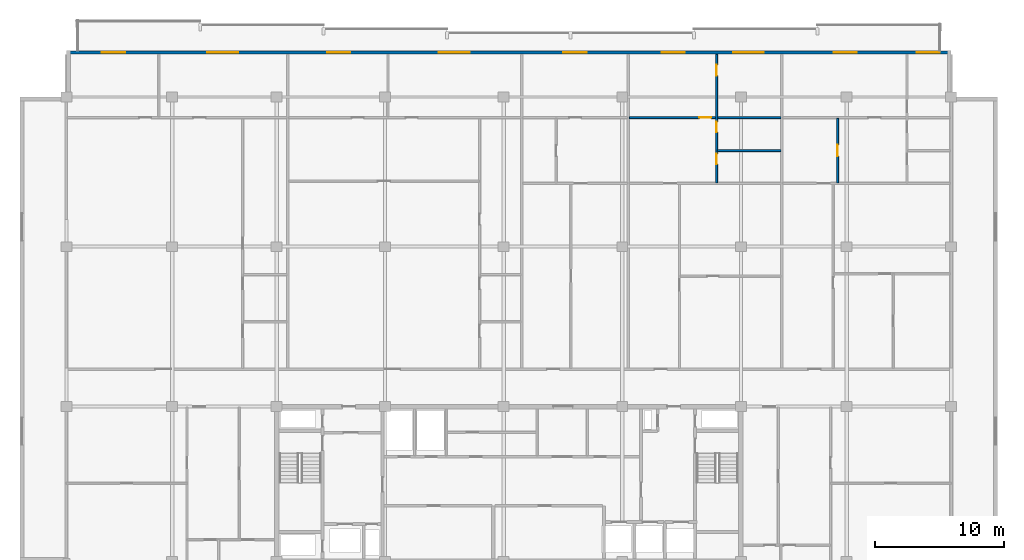
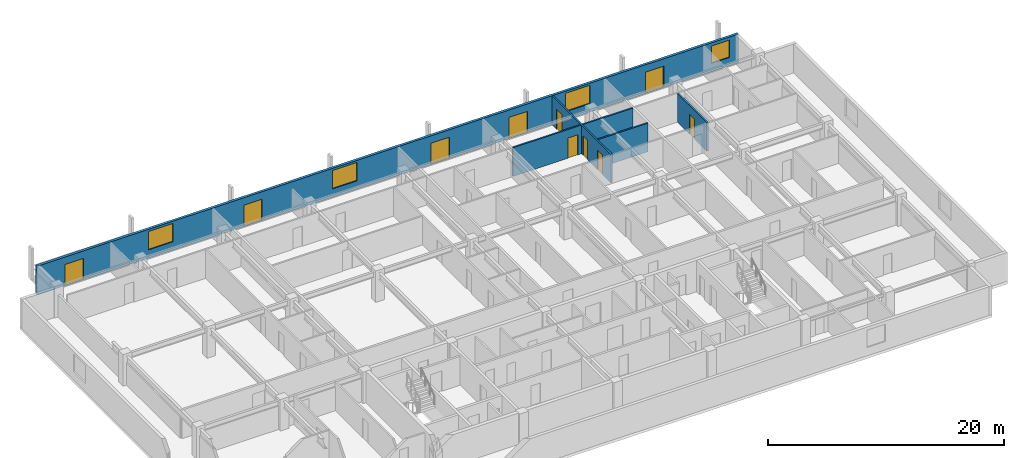
# One storey, part 14 of 21: 10 doors, 5 walls, 4 windows, 14 openings.
"""IFC4 building model written with IfcOpenShell, lengths in metres."""

from ifc_helpers import new_model, si_unit, direction, frame, frame_2d, origin, place, context, subcontext, project, spatial, rectangle, extrude, material, layer, layer_set, type_object, element, fill, save


model = new_model("IFC4")

# Units and contexts
model_context = context("Model", 3, precision=1e-05, world=origin(), true_north=direction((0.0, 1.0)))
body_context = subcontext(model_context, "Body", "Model", "MODEL_VIEW")
ifc_project = project(units=[si_unit("LENGTHUNIT", "METRE"), si_unit("AREAUNIT", "SQUARE_METRE"), si_unit("VOLUMEUNIT", "CUBIC_METRE"), si_unit("PLANEANGLEUNIT", "RADIAN"), si_unit("MASSUNIT", "GRAM", prefix="KILO")], contexts=[model_context])

# Site, building, storey
site_placement = place(None, origin())
site = spatial("IfcSite", under=ifc_project, at=site_placement, CompositionType="ELEMENT")
building_placement = place(site_placement, origin())
building = spatial("IfcBuilding", under=site, at=building_placement, Name="Korimba Cascade Residences", CompositionType="ELEMENT")
storey_placement = place(building_placement, frame((0.0, 0.0, 184.85009765625)))
storey = spatial("IfcBuildingStorey", under=building, at=storey_placement, Name="L53", CompositionType="ELEMENT", Elevation=184.85009765625)

# Wall, openings, doors, windows
ifc_material_1 = material(Name="Precast concrete C40/50", Category="concrete")
ifc_layer_1 = layer(ifc_material_1, 0.25)
ifc_layer_set_1 = layer_set([ifc_layer_1], Name="Precast concrete C40/50")
wall_type_1 = type_object("IfcWallType", Name="EW-LOG-250", PredefinedType="STANDARD", material=ifc_layer_set_1)
wall_1_placement = place(storey_placement, frame((128.39990234375, 94.64990234375, 0.0), z_axis=(0.0, 0.0, 1.0), x_axis=(-1.0, 0.0, 0.0)))
wall_1 = element("IfcWall", 1, at=wall_1_placement, inside=storey, type_object=wall_type_1, Name="L53 T1 Perimeter Stone Wall E06", PredefinedType="STANDARD", context=body_context, shape_type="SweptSolid", body=[
    extrude(rectangle(XDim=68.599853515625, YDim=0.25, at=frame_2d((34.2998046875, 0.0))), origin(), (0.0, 0.0, 1.0), 2.969970703125),
])
opening_1_placement = place(wall_1_placement, frame((64.057861328125, 0.0, 0.0)))
opening_1 = element("IfcOpeningElement", 2, at=opening_1_placement, cuts=wall_1, Name="Opening D-LG1", PredefinedType="OPENING", context=body_context, shape_type="SweptSolid", body=[
    extrude(rectangle(XDim=1.800048828125, YDim=2.199951171875, at=frame_2d((0.89990234375, 1.10009765625))), frame((0.0, 0.135009765625, 0.0), z_axis=(0.0, -1.0, 0.0), x_axis=(1.0, 0.0, 0.0)), (0.0, 0.0, 1.0), 0.27001953125),
])
opening_2_placement = place(wall_1_placement, frame((55.2939453125, 0.0, 0.85009765625)))
opening_2 = element("IfcOpeningElement", 3, at=opening_2_placement, cuts=wall_1, Name="Opening W-01", PredefinedType="OPENING", context=body_context, shape_type="SweptSolid", body=[
    extrude(rectangle(XDim=2.39990234375, YDim=1.89990234375, at=frame_2d((1.199951171875, 0.949951171875))), frame((0.0, 0.135009765625, 0.0), z_axis=(0.0, -1.0, 0.0), x_axis=(1.0, 0.0, 0.0)), (0.0, 0.0, 1.0), 0.27001953125),
])
opening_3_placement = place(wall_1_placement, frame((46.58837890625, 0.0, 0.0)))
opening_3 = element("IfcOpeningElement", 4, at=opening_3_placement, cuts=wall_1, Name="Opening D-LG1", PredefinedType="OPENING", context=body_context, shape_type="SweptSolid", body=[
    extrude(rectangle(XDim=1.800048828125, YDim=2.199951171875, at=frame_2d((0.89990234375, 1.10009765625))), frame((0.0, 0.135009765625, 0.0), z_axis=(0.0, -1.0, 0.0), x_axis=(1.0, 0.0, 0.0)), (0.0, 0.0, 1.0), 0.27001953125),
])
opening_4_placement = place(wall_1_placement, frame((37.3369140625, 0.0, 0.85009765625)))
opening_4 = element("IfcOpeningElement", 5, at=opening_4_placement, cuts=wall_1, Name="Opening W-01", PredefinedType="OPENING", context=body_context, shape_type="SweptSolid", body=[
    extrude(rectangle(XDim=2.39990234375, YDim=1.89990234375, at=frame_2d((1.199951171875, 0.949951171875))), frame((0.0, 0.135009765625, 0.0), z_axis=(0.0, -1.0, 0.0), x_axis=(1.0, 0.0, 0.0)), (0.0, 0.0, 1.0), 0.27001953125),
])
opening_5_placement = place(wall_1_placement, frame((28.259033203125, 0.0, 0.0)))
opening_5 = element("IfcOpeningElement", 6, at=opening_5_placement, cuts=wall_1, Name="Opening D-LG1", PredefinedType="OPENING", context=body_context, shape_type="SweptSolid", body=[
    extrude(rectangle(XDim=1.800048828125, YDim=2.199951171875, at=frame_2d((0.89990234375, 1.10009765625))), frame((0.0, 0.135009765625, 0.0), z_axis=(0.0, -1.0, 0.0), x_axis=(1.0, 0.0, 0.0)), (0.0, 0.0, 1.0), 0.27001953125),
])
opening_6_placement = place(wall_1_placement, frame((20.644775390625, 0.0, 0.0)))
opening_6 = element("IfcOpeningElement", 7, at=opening_6_placement, cuts=wall_1, Name="Opening D-LG1", PredefinedType="OPENING", context=body_context, shape_type="SweptSolid", body=[
    extrude(rectangle(XDim=1.800048828125, YDim=2.199951171875, at=frame_2d((0.89990234375, 1.10009765625))), frame((0.0, 0.135009765625, 0.0), z_axis=(0.0, -1.0, 0.0), x_axis=(1.0, 0.0, 0.0)), (0.0, 0.0, 1.0), 0.27001953125),
])
opening_7_placement = place(wall_1_placement, frame((14.511474609375, 0.0, 0.85009765625)))
opening_7 = element("IfcOpeningElement", 8, at=opening_7_placement, cuts=wall_1, Name="Opening W-01", PredefinedType="OPENING", context=body_context, shape_type="SweptSolid", body=[
    extrude(rectangle(XDim=2.39990234375, YDim=1.89990234375, at=frame_2d((1.199951171875, 0.949951171875))), frame((0.0, 0.135009765625, 0.0), z_axis=(0.0, -1.0, 0.0), x_axis=(1.0, 0.0, 0.0)), (0.0, 0.0, 1.0), 0.27001953125),
])
opening_8_placement = place(wall_1_placement, frame((7.311279296875, 0.0, 0.0)))
opening_8 = element("IfcOpeningElement", 9, at=opening_8_placement, cuts=wall_1, Name="Opening D-LG1", PredefinedType="OPENING", context=body_context, shape_type="SweptSolid", body=[
    extrude(rectangle(XDim=1.800048828125, YDim=2.199951171875, at=frame_2d((0.89990234375, 1.10009765625))), frame((0.0, 0.135009765625, 0.0), z_axis=(0.0, -1.0, 0.0), x_axis=(1.0, 0.0, 0.0)), (0.0, 0.0, 1.0), 0.27001953125),
])
opening_9_placement = place(wall_1_placement, frame((0.8701171875, 0.0, 0.85009765625)))
opening_9 = element("IfcOpeningElement", 10, at=opening_9_placement, cuts=wall_1, Name="Opening W-02", PredefinedType="OPENING", context=body_context, shape_type="SweptSolid", body=[
    extrude(rectangle(XDim=1.800048828125, YDim=1.800048828125, at=frame_2d((0.89990234375, 0.89990234375))), frame((0.0, 0.135009765625, 0.0), z_axis=(0.0, -1.0, 0.0), x_axis=(1.0, 0.0, 0.0)), (0.0, 0.0, 1.0), 0.27001953125),
])
ifc_material_2 = material(Name="Glazed Aluminium Loggia Sliding Door", Category="aluminium")
door_type_1 = type_object("IfcDoorType", Name="DR-EXT-LOG", OperationType="NOTDEFINED", PredefinedType="DOOR", material=ifc_material_2)
door_1_placement = place(opening_1_placement, origin())
door_1 = element("IfcDoor", 11, at=door_1_placement, inside=storey, type_object=door_type_1, Name="L53 T1 Loggia Sliding Door 3", OperationType="SLIDING_TO_LEFT", OverallHeight=2.199951171875, OverallWidth=1.800048828125, PredefinedType="DOOR", context=body_context, shape_type="SweptSolid", body=[
    extrude(rectangle(XDim=1.800048828125, YDim=2.199951171875, at=frame_2d((0.89990234375, 1.10009765625))), frame((0.0, 0.02490234375, 0.0), z_axis=(0.0, -1.0, 0.0), x_axis=(1.0, 0.0, 0.0)), (0.0, 0.0, 1.0), 0.050048828125),
])
fill(opening_1, door_1)
door_2_placement = place(opening_3_placement, origin())
door_2 = element("IfcDoor", 12, at=door_2_placement, inside=storey, type_object=door_type_1, Name="L53 T1 Loggia Sliding Door 5", OperationType="SLIDING_TO_LEFT", OverallHeight=2.199951171875, OverallWidth=1.800048828125, PredefinedType="DOOR", context=body_context, shape_type="SweptSolid", body=[
    extrude(rectangle(XDim=1.800048828125, YDim=2.199951171875, at=frame_2d((0.89990234375, 1.10009765625))), frame((0.0, 0.02490234375, 0.0), z_axis=(0.0, -1.0, 0.0), x_axis=(1.0, 0.0, 0.0)), (0.0, 0.0, 1.0), 0.050048828125),
])
fill(opening_3, door_2)
door_3_placement = place(opening_5_placement, origin())
door_3 = element("IfcDoor", 13, at=door_3_placement, inside=storey, type_object=door_type_1, Name="L53 T1 Loggia Sliding Door 7", OperationType="SLIDING_TO_LEFT", OverallHeight=2.199951171875, OverallWidth=1.800048828125, PredefinedType="DOOR", context=body_context, shape_type="SweptSolid", body=[
    extrude(rectangle(XDim=1.800048828125, YDim=2.199951171875, at=frame_2d((0.89990234375, 1.10009765625))), frame((0.0, 0.02490234375, 0.0), z_axis=(0.0, -1.0, 0.0), x_axis=(1.0, 0.0, 0.0)), (0.0, 0.0, 1.0), 0.050048828125),
])
fill(opening_5, door_3)
door_4_placement = place(opening_6_placement, origin())
door_4 = element("IfcDoor", 14, at=door_4_placement, inside=storey, type_object=door_type_1, Name="L53 T1 Loggia Sliding Door 8", OperationType="SLIDING_TO_LEFT", OverallHeight=2.199951171875, OverallWidth=1.800048828125, PredefinedType="DOOR", context=body_context, shape_type="SweptSolid", body=[
    extrude(rectangle(XDim=1.800048828125, YDim=2.199951171875, at=frame_2d((0.89990234375, 1.10009765625))), frame((0.0, 0.02490234375, 0.0), z_axis=(0.0, -1.0, 0.0), x_axis=(1.0, 0.0, 0.0)), (0.0, 0.0, 1.0), 0.050048828125),
])
fill(opening_6, door_4)
door_5_placement = place(opening_8_placement, origin())
door_5 = element("IfcDoor", 15, at=door_5_placement, inside=storey, type_object=door_type_1, Name="L53 T1 Loggia Sliding Door 10", OperationType="SLIDING_TO_LEFT", OverallHeight=2.199951171875, OverallWidth=1.800048828125, PredefinedType="DOOR", context=body_context, shape_type="SweptSolid", body=[
    extrude(rectangle(XDim=1.800048828125, YDim=2.199951171875, at=frame_2d((0.89990234375, 1.10009765625))), frame((0.0, 0.02490234375, 0.0), z_axis=(0.0, -1.0, 0.0), x_axis=(1.0, 0.0, 0.0)), (0.0, 0.0, 1.0), 0.050048828125),
])
fill(opening_8, door_5)
ifc_material_3 = material(Name="Double-Glazed Aluminium Window", Category="aluminium")
window_type_1 = type_object("IfcWindowType", Name="WIN-BED-1800", PartitioningType="SINGLE_PANEL", PredefinedType="WINDOW", material=ifc_material_3)
window_1_placement = place(opening_9_placement, origin())
window_1 = element("IfcWindow", 16, at=window_1_placement, inside=storey, type_object=window_type_1, Name="L53 T1 North Facade Window 11", OverallHeight=1.800048828125, OverallWidth=1.800048828125, PartitioningType="SINGLE_PANEL", PredefinedType="WINDOW", context=body_context, shape_type="SweptSolid", body=[
    extrude(rectangle(XDim=1.800048828125, YDim=1.800048828125, at=frame_2d((0.89990234375, 0.89990234375))), frame((0.0, 0.030029296875, 0.0), z_axis=(0.0, -1.0, 0.0), x_axis=(1.0, 0.0, 0.0)), (0.0, 0.0, 1.0), 0.06005859375),
])
fill(opening_9, window_1)
window_type_2 = type_object("IfcWindowType", Name="WIN-RES-2400", PartitioningType="DOUBLE_PANEL_VERTICAL", PredefinedType="WINDOW", material=ifc_material_3)
window_2_placement = place(opening_2_placement, origin())
window_2 = element("IfcWindow", 17, at=window_2_placement, inside=storey, type_object=window_type_2, Name="L53 T1 North Facade Window 4", OverallHeight=1.89990234375, OverallWidth=2.39990234375, PartitioningType="DOUBLE_PANEL_VERTICAL", PredefinedType="WINDOW", context=body_context, shape_type="SweptSolid", body=[
    extrude(rectangle(XDim=2.39990234375, YDim=1.89990234375, at=frame_2d((1.199951171875, 0.949951171875))), frame((0.0, 0.030029296875, 0.0), z_axis=(0.0, -1.0, 0.0), x_axis=(1.0, 0.0, 0.0)), (0.0, 0.0, 1.0), 0.06005859375),
])
fill(opening_2, window_2)
window_3_placement = place(opening_4_placement, origin())
window_3 = element("IfcWindow", 18, at=window_3_placement, inside=storey, type_object=window_type_2, Name="L53 T1 North Facade Window 6", OverallHeight=1.89990234375, OverallWidth=2.39990234375, PartitioningType="DOUBLE_PANEL_VERTICAL", PredefinedType="WINDOW", context=body_context, shape_type="SweptSolid", body=[
    extrude(rectangle(XDim=2.39990234375, YDim=1.89990234375, at=frame_2d((1.199951171875, 0.949951171875))), frame((0.0, 0.030029296875, 0.0), z_axis=(0.0, -1.0, 0.0), x_axis=(1.0, 0.0, 0.0)), (0.0, 0.0, 1.0), 0.06005859375),
])
fill(opening_4, window_3)
window_4_placement = place(opening_7_placement, origin())
window_4 = element("IfcWindow", 19, at=window_4_placement, inside=storey, type_object=window_type_2, Name="L53 T1 North Facade Window 9", OverallHeight=1.89990234375, OverallWidth=2.39990234375, PartitioningType="DOUBLE_PANEL_VERTICAL", PredefinedType="WINDOW", context=body_context, shape_type="SweptSolid", body=[
    extrude(rectangle(XDim=2.39990234375, YDim=1.89990234375, at=frame_2d((1.199951171875, 0.949951171875))), frame((0.0, 0.030029296875, 0.0), z_axis=(0.0, -1.0, 0.0), x_axis=(1.0, 0.0, 0.0)), (0.0, 0.0, 1.0), 0.06005859375),
])
fill(opening_7, window_4)

# Wall
ifc_material_4 = material(Name="Insulated Acoustic Stud Partition", Category="gypsum")
ifc_layer_2 = layer(ifc_material_4, 0.14990234375)
ifc_layer_set_2 = layer_set([ifc_layer_2], Name="Insulated Acoustic Stud Partition")
wall_type_2 = type_object("IfcWallType", Name="WAL-PART-150", PredefinedType="PARTITIONING", material=ifc_layer_set_2)
wall_2_placement = place(storey_placement, frame((110.280029296875, 87.0400390625, 0.0), z_axis=(0.0, 0.0, 1.0), x_axis=(1.0, 0.0, 0.0)))
element("IfcWall", 20, at=wall_2_placement, inside=storey, type_object=wall_type_2, Name="L53 Partition Wall WAL-L53-T1-U04-BLDIV", PredefinedType="PARTITIONING", context=body_context, shape_type="SweptSolid", body=[
    extrude(rectangle(XDim=4.917236328125, YDim=0.14990234375, at=frame_2d((2.45849609375, 0.0))), origin(), (0.0, 0.0, 1.0), 2.969970703125),
])

# Wall, openings, doors
wall_3_placement = place(storey_placement, frame((110.219970703125, 84.5400390625, 0.0), z_axis=(0.0, 0.0, 1.0), x_axis=(0.0, 1.0, 0.0)))
wall_3 = element("IfcWall", 21, at=wall_3_placement, inside=storey, type_object=wall_type_2, Name="L53 Partition Wall WAL-L53-T1-U04-V1", PredefinedType="PARTITIONING", context=body_context, shape_type="SweptSolid", body=[
    extrude(rectangle(XDim=9.9599609375, YDim=0.14990234375, at=frame_2d((4.97998046875, 0.0))), origin(), (0.0, 0.0, 1.0), 2.969970703125),
])
opening_10_placement = place(wall_3_placement, frame((1.430419921875, 0.0, 0.0)))
opening_10 = element("IfcOpeningElement", 22, at=opening_10_placement, cuts=wall_3, Name="Opening D-BT1", PredefinedType="OPENING", context=body_context, shape_type="SweptSolid", body=[
    extrude(rectangle(XDim=0.840087890625, YDim=2.0400390625, at=frame_2d((0.419921875, 1.02001953125))), frame((0.0, 0.0849609375, 0.0), z_axis=(0.0, -1.0, 0.0), x_axis=(1.0, 0.0, 0.0)), (0.0, 0.0, 1.0), 0.169921875),
])
opening_11_placement = place(wall_3_placement, frame((3.919921875, 0.0, 0.0)))
opening_11 = element("IfcOpeningElement", 23, at=opening_11_placement, cuts=wall_3, Name="Opening D-BT1", PredefinedType="OPENING", context=body_context, shape_type="SweptSolid", body=[
    extrude(rectangle(XDim=0.840087890625, YDim=2.0400390625, at=frame_2d((0.419921875, 1.02001953125))), frame((0.0, 0.0849609375, 0.0), z_axis=(0.0, -1.0, 0.0), x_axis=(1.0, 0.0, 0.0)), (0.0, 0.0, 1.0), 0.169921875),
])
opening_12_placement = place(wall_3_placement, frame((8.297119140625, 0.0, 0.0)))
opening_12 = element("IfcOpeningElement", 24, at=opening_12_placement, cuts=wall_3, Name="Opening D-IN2", PredefinedType="OPENING", context=body_context, shape_type="SweptSolid", body=[
    extrude(rectangle(XDim=0.8798828125, YDim=2.06005859375, at=frame_2d((0.43994140625, 1.030029296875))), frame((0.0, 0.0849609375, 0.0), z_axis=(0.0, -1.0, 0.0), x_axis=(1.0, 0.0, 0.0)), (0.0, 0.0, 1.0), 0.169921875),
])
ifc_material_5 = material(Name="Moisture-Resistant Bathroom Timber Door", Category="wood")
door_type_2 = type_object("IfcDoorType", Name="DR-INT-850", OperationType="NOTDEFINED", PredefinedType="DOOR", material=ifc_material_5)
door_6_placement = place(opening_10_placement, origin())
door_6 = element("IfcDoor", 25, at=door_6_placement, inside=storey, type_object=door_type_2, Name="L53-T1-U04 Bathroom Door", OperationType="SINGLE_SWING_LEFT", OverallHeight=2.0400390625, OverallWidth=0.840087890625, PredefinedType="DOOR", context=body_context, shape_type="SweptSolid", body=[
    extrude(rectangle(XDim=0.840087890625, YDim=2.0400390625, at=frame_2d((0.419921875, 1.02001953125))), frame((0.0, 0.02490234375, 0.0), z_axis=(0.0, -1.0, 0.0), x_axis=(1.0, 0.0, 0.0)), (0.0, 0.0, 1.0), 0.050048828125),
])
fill(opening_10, door_6)
door_7_placement = place(opening_11_placement, origin())
door_7 = element("IfcDoor", 26, at=door_7_placement, inside=storey, type_object=door_type_2, Name="L53-T1-U04 Laundry Door", OperationType="SINGLE_SWING_RIGHT", OverallHeight=2.0400390625, OverallWidth=0.840087890625, PredefinedType="DOOR", context=body_context, shape_type="SweptSolid", body=[
    extrude(rectangle(XDim=0.840087890625, YDim=2.0400390625, at=frame_2d((0.419921875, 1.02001953125))), frame((0.0, 0.02490234375, 0.0), z_axis=(0.0, -1.0, 0.0), x_axis=(1.0, 0.0, 0.0)), (0.0, 0.0, 1.0), 0.050048828125),
])
fill(opening_11, door_7)
ifc_material_6 = material(Name="Acoustic Timber Bedroom Door", Category="wood")
door_type_3 = type_object("IfcDoorType", Name="DR-INT-880", OperationType="NOTDEFINED", PredefinedType="DOOR", material=ifc_material_6)
door_8_placement = place(opening_12_placement, origin())
door_8 = element("IfcDoor", 27, at=door_8_placement, inside=storey, type_object=door_type_3, Name="L53-T1-U04 Bedroom 1 Door", OperationType="SINGLE_SWING_LEFT", OverallHeight=2.06005859375, OverallWidth=0.8798828125, PredefinedType="DOOR", context=body_context, shape_type="SweptSolid", body=[
    extrude(rectangle(XDim=0.8798828125, YDim=2.06005859375, at=frame_2d((0.43994140625, 1.030029296875))), frame((0.0, 0.02490234375, 0.0), z_axis=(0.0, -1.0, 0.0), x_axis=(1.0, 0.0, 0.0)), (0.0, 0.0, 1.0), 0.050048828125),
])
fill(opening_12, door_8)

# Wall, opening, door
wall_4_placement = place(storey_placement, frame((103.450439453125, 89.60009765625, 0.0), z_axis=(0.0, 0.0, 1.0), x_axis=(1.0, 0.0, 0.0)))
wall_4 = element("IfcWall", 28, at=wall_4_placement, inside=storey, type_object=wall_type_2, Name="L53 Partition Wall WAL-L53-T1-U04-HZ", PredefinedType="PARTITIONING", context=body_context, shape_type="SweptSolid", body=[
    extrude(rectangle(XDim=11.746826171875, YDim=0.14990234375, at=frame_2d((5.87353515625, 0.0))), origin(), (0.0, 0.0, 1.0), 2.969970703125),
])
opening_13_placement = place(wall_4_placement, frame((5.4033203125, 0.0, 0.0)))
opening_13 = element("IfcOpeningElement", 29, at=opening_13_placement, cuts=wall_4, Name="Opening D-IN0", PredefinedType="OPENING", context=body_context, shape_type="SweptSolid", body=[
    extrude(rectangle(XDim=0.93994140625, YDim=2.10009765625, at=frame_2d((0.469970703125, 1.050048828125))), frame((0.0, 0.0849609375, 0.0), z_axis=(0.0, -1.0, 0.0), x_axis=(1.0, 0.0, 0.0)), (0.0, 0.0, 1.0), 0.169921875),
])
ifc_material_7 = material(Name="Acoustic Timber Living Archway Door", Category="wood")
door_type_4 = type_object("IfcDoorType", Name="DR-INT-950", OperationType="NOTDEFINED", PredefinedType="DOOR", material=ifc_material_7)
door_9_placement = place(opening_13_placement, origin())
door_9 = element("IfcDoor", 30, at=door_9_placement, inside=storey, type_object=door_type_4, Name="L53-T1-U04 Living Archway Door", OperationType="SINGLE_SWING_LEFT", OverallHeight=2.10009765625, OverallWidth=0.93994140625, PredefinedType="DOOR", context=body_context, shape_type="SweptSolid", body=[
    extrude(rectangle(XDim=0.93994140625, YDim=2.10009765625, at=frame_2d((0.469970703125, 1.050048828125))), frame((0.0, 0.02490234375, 0.0), z_axis=(0.0, -1.0, 0.0), x_axis=(1.0, 0.0, 0.0)), (0.0, 0.0, 1.0), 0.050048828125),
])
fill(opening_13, door_9)

wall_5_placement = place(storey_placement, frame((119.597412109375, 84.5400390625, 0.0), z_axis=(0.0, 0.0, 1.0), x_axis=(0.0, 1.0, 0.0)))
wall_5 = element("IfcWall", 31, at=wall_5_placement, inside=storey, type_object=wall_type_2, Name="L53 Partition Wall WAL-L53-T1-U05-VDIN", PredefinedType="PARTITIONING", context=body_context, shape_type="SweptSolid", body=[
    extrude(rectangle(XDim=5.0, YDim=0.14990234375, at=frame_2d((2.5, 0.0))), origin(), (0.0, 0.0, 1.0), 2.969970703125),
])
opening_14_placement = place(wall_5_placement, frame((2.06005859375, 0.0, 0.0)))
opening_14 = element("IfcOpeningElement", 32, at=opening_14_placement, cuts=wall_5, Name="Opening D-IN2", PredefinedType="OPENING", context=body_context, shape_type="SweptSolid", body=[
    extrude(rectangle(XDim=0.8798828125, YDim=2.06005859375, at=frame_2d((0.43994140625, 1.030029296875))), frame((0.0, 0.0849609375, 0.0), z_axis=(0.0, -1.0, 0.0), x_axis=(1.0, 0.0, 0.0)), (0.0, 0.0, 1.0), 0.169921875),
])
door_10_placement = place(opening_14_placement, origin())
door_10 = element("IfcDoor", 33, at=door_10_placement, inside=storey, type_object=door_type_3, Name="L53-T1-U05 Dining Room Door", OperationType="SINGLE_SWING_LEFT", OverallHeight=2.06005859375, OverallWidth=0.8798828125, PredefinedType="DOOR", context=body_context, shape_type="SweptSolid", body=[
    extrude(rectangle(XDim=0.8798828125, YDim=2.06005859375, at=frame_2d((0.43994140625, 1.030029296875))), frame((0.0, 0.02490234375, 0.0), z_axis=(0.0, -1.0, 0.0), x_axis=(1.0, 0.0, 0.0)), (0.0, 0.0, 1.0), 0.050048828125),
])
fill(opening_14, door_10)

save(model, "model.ifc")
